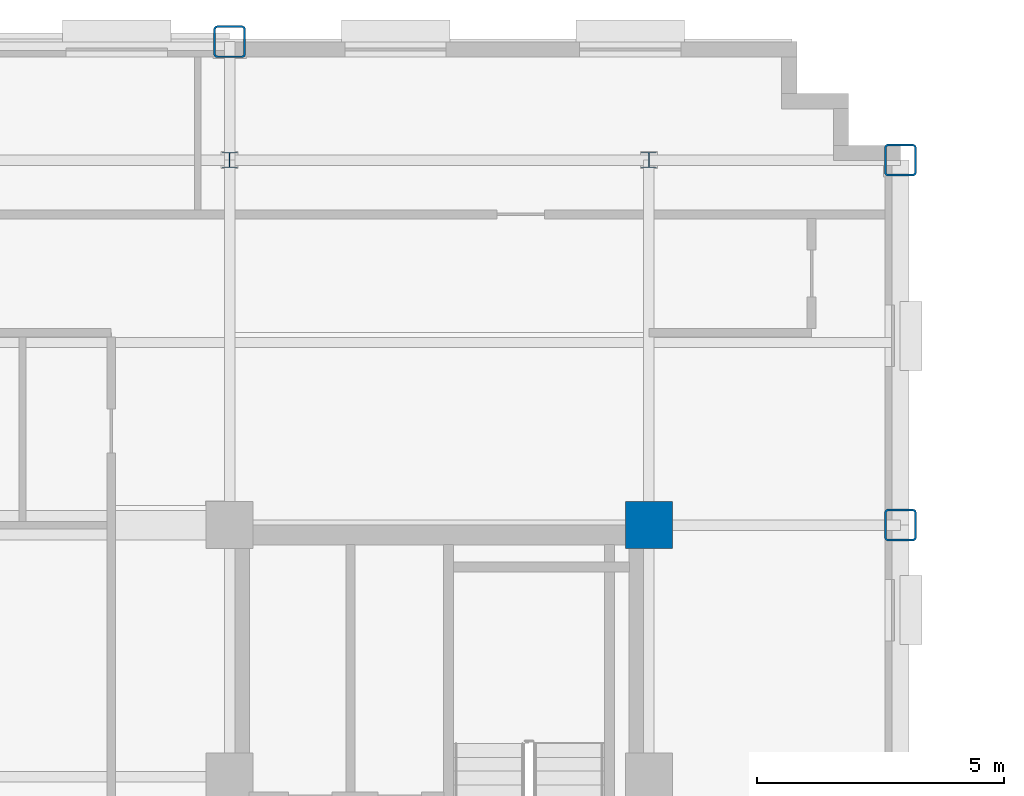
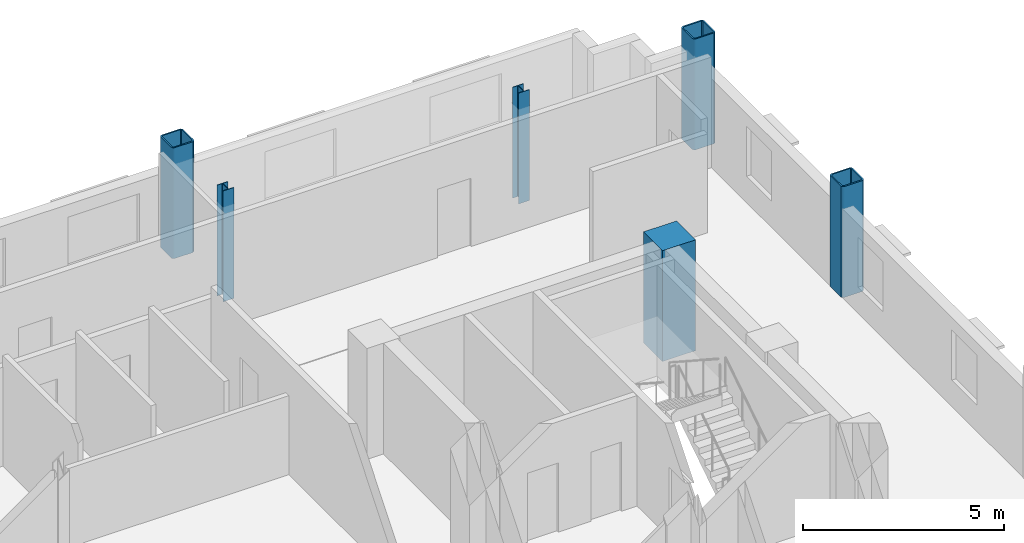
# One storey, part 4 of 14: 6 columns.
"""IFC4 building model written with IfcOpenShell, lengths in metres."""

from ifc_helpers import new_model, si_unit, direction, frame, origin, origin_2d, place, context, subcontext, project, spatial, rectangle, hollow_rectangle, i_section, extrude, material, material_profile, profile_set, type_object, element, save


model = new_model("IFC4")

# Units and contexts
model_context = context("Model", 3, precision=1e-05, world=origin(), true_north=direction((0.0, 1.0)))
body_context = subcontext(model_context, "Body", "Model", "MODEL_VIEW")
ifc_project = project(units=[si_unit("LENGTHUNIT", "METRE"), si_unit("AREAUNIT", "SQUARE_METRE"), si_unit("VOLUMEUNIT", "CUBIC_METRE"), si_unit("PLANEANGLEUNIT", "RADIAN"), si_unit("MASSUNIT", "GRAM", prefix="KILO")], contexts=[model_context])

# Site, building, storey
site_placement = place(None, origin())
site = spatial("IfcSite", under=ifc_project, at=site_placement, CompositionType="ELEMENT")
building_placement = place(site_placement, origin())
building = spatial("IfcBuilding", under=site, at=building_placement, Name="Nuvemarco Arch Tower", CompositionType="ELEMENT")
storey_placement = place(building_placement, frame((0.0, 0.0, 174.949951171875)))
storey = spatial("IfcBuildingStorey", under=building, at=storey_placement, Name="L46", CompositionType="ELEMENT", Elevation=174.949951171875)

# Columns
ifc_material_1 = material(Name="Concrete C50/60", Category="concrete")
ifc_material_profile_1 = material_profile(ifc_material_1, rectangle(XDim=0.949951171875, YDim=0.949951171875, at=origin_2d()), Name="RC-COL-950x950")
ifc_profile_set_1 = profile_set([ifc_material_profile_1], Name="Concrete C50/60")
column_type_1 = type_object("IfcColumnType", Name="COL-CORE-950", PredefinedType="COLUMN", material=ifc_profile_set_1)
column_placement = place(storey_placement, frame((17.5, 9.60009765625, 0.0), z_axis=(0.0, 0.0, 1.0), x_axis=(1.0, 0.0, 0.0)))
element("IfcColumn", 1, at=column_placement, inside=storey, type_object=column_type_1, Name="L46 column CC_+17.5_+9.6", PredefinedType="COLUMN", context=body_context, shape_type="SweptSolid", body=[
    extrude(rectangle(XDim=0.949951171875, YDim=0.949951171875, at=origin_2d()), origin(), (0.0, 0.0, 1.0), 3.3701171875),
])
ifc_material_2 = material(Name="Steel S355", Category="steel")
ifc_material_profile_2 = material_profile(ifc_material_2, hollow_rectangle(XDim=0.64990234375, YDim=0.64990234375, WallThickness=0.0400390625, InnerFilletRadius=0.0400390625, OuterFilletRadius=0.080078125, at=origin_2d()), Name="SHS650x650x40")
ifc_profile_set_2 = profile_set([ifc_material_profile_2], Name="Steel S355")
column_type_2 = type_object("IfcColumnType", Name="COL-EXO-650", PredefinedType="COLUMN", material=ifc_profile_set_2)
for number, where, z_axis, x_axis, name in (
    (2, (22.60009765625, 9.60009765625, 0.0), (0.0, 0.0, 1.0), (1.0, 0.0, 0.0), "L46 column CX_+22.6_+9.6"),
    (3, (22.60009765625, 17.0, 0.0), (0.0, 0.0, 1.0), (1.0, 0.0, 0.0), "L46 column CX_+22.6_+17.0"),
    (4, (9.0, 19.39990234375, 0.0), (0.0, 0.0, 1.0), (1.0, 0.0, 0.0), "L46 column CY_+9.0_+19.4"),
):
    element("IfcColumn", number, at=place(storey_placement, frame(where, z_axis=z_axis, x_axis=x_axis)), inside=storey, type_object=column_type_2, Name=name, PredefinedType="COLUMN", context=body_context, shape_type="SweptSolid", body=[
        extrude(hollow_rectangle(XDim=0.64990234375, YDim=0.64990234375, WallThickness=0.0400390625, InnerFilletRadius=0.0400390625, OuterFilletRadius=0.080078125, at=origin_2d()), origin(), (0.0, 0.0, 1.0), 3.3701171875),
    ])
ifc_material_profile_3 = material_profile(ifc_material_2, i_section(OverallWidth=0.31005859375, OverallDepth=0.31005859375, WebThickness=0.015380859375, FlangeThickness=0.015380859375, FilletRadius=0.014892578125, at=origin_2d()), Name="HP310x110")
ifc_profile_set_3 = profile_set([ifc_material_profile_3], Name="Steel S355")
column_type_3 = type_object("IfcColumnType", Name="COL-STL-HP310", PredefinedType="COLUMN", material=ifc_profile_set_3)
for number, where, z_axis, x_axis, name in (
    (5, (9.0, 17.0, 0.0), (0.0, 0.0, 1.0), (1.0, 0.0, 0.0), "L46 column CI_+9.0_+17.0"),
    (6, (17.5, 17.0, 0.0), (0.0, 0.0, 1.0), (1.0, 0.0, 0.0), "L46 column CI_+17.5_+17.0"),
):
    element("IfcColumn", number, at=place(storey_placement, frame(where, z_axis=z_axis, x_axis=x_axis)), inside=storey, type_object=column_type_3, Name=name, PredefinedType="COLUMN", context=body_context, shape_type="SweptSolid", body=[
        extrude(i_section(OverallWidth=0.31005859375, OverallDepth=0.31005859375, WebThickness=0.015380859375, FlangeThickness=0.015380859375, FilletRadius=0.014892578125, at=origin_2d()), origin(), (0.0, 0.0, 1.0), 3.3701171875),
    ])

save(model, "model.ifc")
